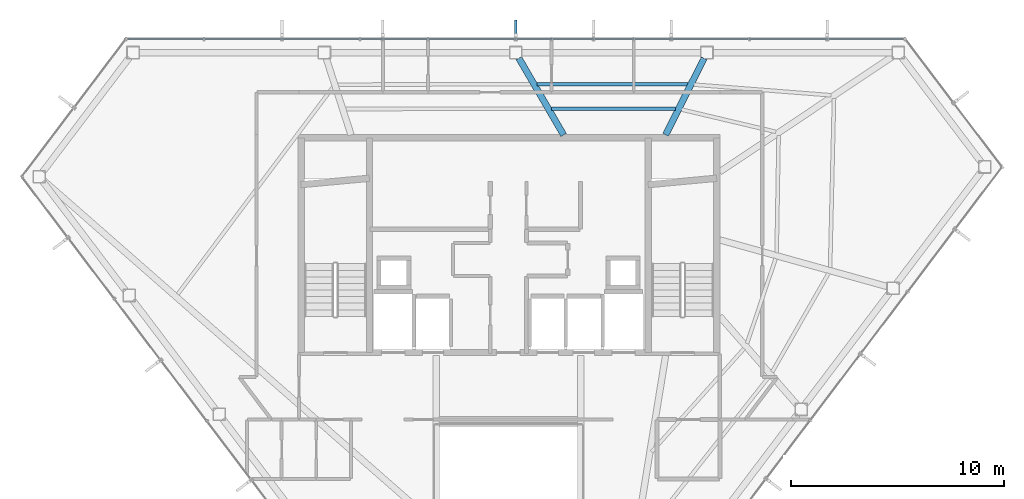
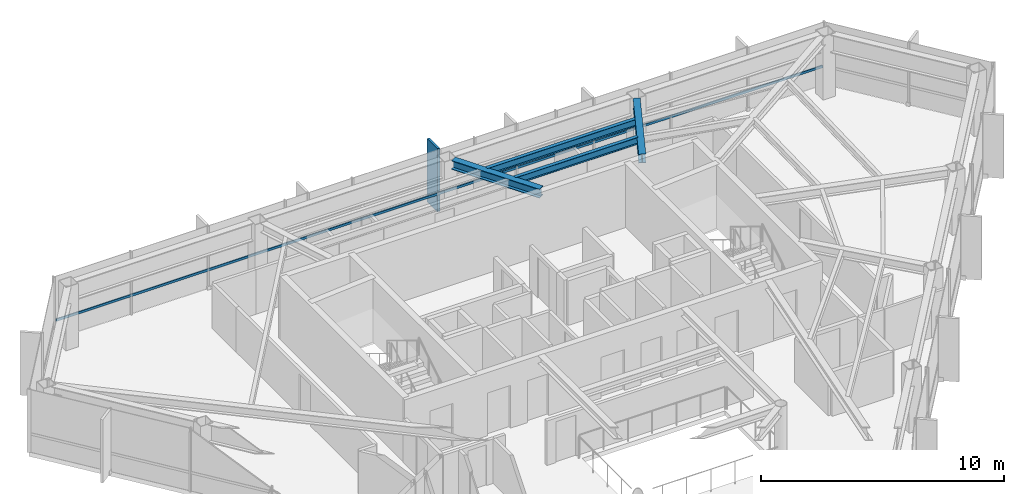
# One storey, part 13 of 25: 4 beams, 2 members, 1 element without a shape of its own.
"""IFC4 building model written with IfcOpenShell, lengths in metres."""

from ifc_helpers import new_model, si_unit, direction, frame, origin, origin_2d, place, context, subcontext, project, spatial, rectangle, hollow_rectangle, i_section, extrude, material, layer, layer_set, material_profile, profile_set, type_object, element, aggregate, save


model = new_model("IFC4")

# Units and contexts
model_context = context("Model", 3, precision=1e-05, world=origin(), true_north=direction((0.0, 1.0)))
body_context = subcontext(model_context, "Body", "Model", "MODEL_VIEW")
ifc_project = project(units=[si_unit("LENGTHUNIT", "METRE"), si_unit("AREAUNIT", "SQUARE_METRE"), si_unit("VOLUMEUNIT", "CUBIC_METRE"), si_unit("PLANEANGLEUNIT", "RADIAN"), si_unit("MASSUNIT", "GRAM", prefix="KILO")], contexts=[model_context])

# Site, building, storey
site_placement = place(None, origin())
site = spatial("IfcSite", under=ifc_project, at=site_placement, CompositionType="ELEMENT")
building_placement = place(site_placement, origin())
building = spatial("IfcBuilding", under=site, at=building_placement, Name="Zarrinselat Tower", CompositionType="ELEMENT")
storey_placement = place(building_placement, frame((0.0, 0.0, 242.760009765625)))
storey = spatial("IfcBuildingStorey", under=building, at=storey_placement, Name="L61", CompositionType="ELEMENT", Elevation=242.760009765625)

# Beams
ifc_material_1 = material(Name="Steel S355J2", Category="steel")
ifc_material_profile_1 = material_profile(ifc_material_1, i_section(OverallWidth=0.300048828125, OverallDepth=0.449951171875, WebThickness=0.013916015625, FlangeThickness=0.02587890625, at=origin_2d()), Name="HEB 450")
ifc_profile_set_1 = profile_set([ifc_material_profile_1], Name="Steel S355J2")
beam_type_1 = type_object("IfcBeamType", Name="BM-HEB450", PredefinedType="BEAM", material=ifc_profile_set_1)
beam_1_placement = place(storey_placement, frame((45.800048828125, 43.5400390625, 2.955078125), z_axis=(0.448981509487, 0.89354104782, 0.0), x_axis=(-0.89354104782, 0.448981509487, 0.0)))
element("IfcBeam", 1, at=beam_1_placement, inside=storey, type_object=beam_type_1, Name="L61 Radial Primary Girder RG02", PredefinedType="BEAM", context=body_context, shape_type="SweptSolid", body=[
    extrude(i_section(OverallWidth=0.300048828125, OverallDepth=0.449951171875, WebThickness=0.013916015625, FlangeThickness=0.02587890625, at=origin_2d()), origin(), (0.0, 0.0, 1.0), 4.0302734375),
])
beam_2_placement = place(storey_placement, frame((38.896728515625, 47.150146484375, 2.955078125), z_axis=(0.503402274464, -0.864052168601, 0.0), x_axis=(0.864052168601, 0.503402274464, 0.0)))
element("IfcBeam", 2, at=beam_2_placement, inside=storey, type_object=beam_type_1, Name="L61 Radial Primary Girder RG03", PredefinedType="BEAM", context=body_context, shape_type="SweptSolid", body=[
    extrude(i_section(OverallWidth=0.300048828125, OverallDepth=0.449951171875, WebThickness=0.013916015625, FlangeThickness=0.02587890625, at=origin_2d()), origin(), (0.0, 0.0, 1.0), 4.17822265625),
])
ifc_material_2 = material(Name="Steel S355J2", Category="steel")
ifc_material_profile_2 = material_profile(ifc_material_2, i_section(OverallWidth=0.169921875, OverallDepth=0.360107421875, WebThickness=0.008056640625, FlangeThickness=0.0126953125, at=origin_2d()), Name="IPE 360")
ifc_profile_set_2 = profile_set([ifc_material_profile_2], Name="Steel S355J2")
beam_type_2 = type_object("IfcBeamType", Name="BM-IPE360", PredefinedType="JOIST", material=ifc_profile_set_2)
beam_3_placement = place(storey_placement, frame((39.751953125, 45.922607421875, 3.0), z_axis=(0.999999687458, -0.000790622282, 0.0), x_axis=(0.000790622282, 0.999999687458, 0.0)))
element("IfcBeam", 3, at=beam_3_placement, inside=storey, type_object=beam_type_2, Name="L61 Composite Floor Joist 7-1", PredefinedType="JOIST", context=body_context, shape_type="SweptSolid", body=[
    extrude(i_section(OverallWidth=0.169921875, OverallDepth=0.360107421875, WebThickness=0.008056640625, FlangeThickness=0.0126953125, at=origin_2d()), origin(), (0.0, 0.0, 1.0), 7.102294921875),
])
beam_4_placement = place(storey_placement, frame((40.4248046875, 44.767333984375, 3.0), z_axis=(0.999999874624, -0.000500751064, 0.0), x_axis=(0.000500751064, 0.999999874624, 0.0)))
element("IfcBeam", 4, at=beam_4_placement, inside=storey, type_object=beam_type_2, Name="L61 Composite Floor Joist 7-2", PredefinedType="JOIST", context=body_context, shape_type="SweptSolid", body=[
    extrude(i_section(OverallWidth=0.169921875, OverallDepth=0.360107421875, WebThickness=0.008056640625, FlangeThickness=0.0126953125, at=origin_2d()), origin(), (0.0, 0.0, 1.0), 5.8505859375),
])

# Curtain wall, members
ifc_material_3 = material(Name="Extruded Aluminium Alloy EN AW-6063 T6", Category="aluminium")
ifc_layer = layer(ifc_material_3, 0.169921875)
ifc_layer_set = layer_set([ifc_layer], Name="Extruded Aluminium Alloy EN AW-6063 T6")
curtain_wall_type = type_object("IfcCurtainWallType", Name="CWS-RES", PredefinedType="NOTDEFINED", material=ifc_layer_set)
curtain_wall_placement = place(storey_placement, origin())
curtain_wall = element("IfcCurtainWall", 5, at=curtain_wall_placement, inside=storey, type_object=curtain_wall_type, Name="L61 Unitised Curtain Wall CW-L61-E01", PredefinedType="NOTDEFINED")
ifc_material_4 = material(Name="Extruded Aluminium Alloy EN AW-6063 T6", Category="aluminium")
ifc_material_profile_3 = material_profile(ifc_material_4, hollow_rectangle(XDim=0.06005859375, YDim=0.1201171875, WallThickness=0.00390625, at=origin_2d()), Name="RHS 120x60x4")
ifc_profile_set_3 = profile_set([ifc_material_profile_3], Name="Extruded Aluminium Alloy EN AW-6063 T6")
member_type_1 = type_object("IfcMemberType", Name="MEM-CW-TRN2", PredefinedType="USERDEFINED", material=ifc_profile_set_3)
member_1_placement = place(storey_placement, frame((56.978515625, 48.06103515625, 0.949951171875), z_axis=(-1.0, 0.0, 0.0), x_axis=(0.0, -1.0, 0.0)))
member_1 = element("IfcMember", 6, at=member_1_placement, type_object=member_type_1, Name="CW-L61-E01 Transom 1", ObjectType="TRANSOM", PredefinedType="USERDEFINED", context=body_context, shape_type="SweptSolid", body=[
    extrude(hollow_rectangle(XDim=0.06005859375, YDim=0.1201171875, WallThickness=0.00390625, at=origin_2d()), origin(), (0.0, 0.0, 1.0), 36.467529296875),
])
ifc_material_5 = material(Name="Honed Cream Travertine Stone", Category="masonry")
ifc_material_profile_4 = material_profile(ifc_material_5, rectangle(XDim=0.1201171875, YDim=0.85009765625, at=origin_2d()), Name="FIN 850x120")
ifc_profile_set_4 = profile_set([ifc_material_profile_4], Name="Honed Cream Travertine Stone")
member_type_2 = type_object("IfcMemberType", Name="MEM-STONE-FIN", PredefinedType="USERDEFINED", material=ifc_profile_set_4)
member_2_placement = place(storey_placement, frame((38.744873046875, 48.52099609375, 0.0), z_axis=(0.0, 0.0, 1.0), x_axis=(1.0, 0.0, 0.0)))
member_2 = element("IfcMember", 7, at=member_2_placement, type_object=member_type_2, Name="L61 Stone Shading Fin CW-L61-E01-07", ObjectType="FIN", PredefinedType="USERDEFINED", context=body_context, shape_type="SweptSolid", body=[
    extrude(rectangle(XDim=0.1201171875, YDim=0.85009765625, at=origin_2d()), origin(), (0.0, 0.0, 1.0), 3.179931640625),
])
aggregate(curtain_wall, [member_2, member_1])

save(model, "model.ifc")
